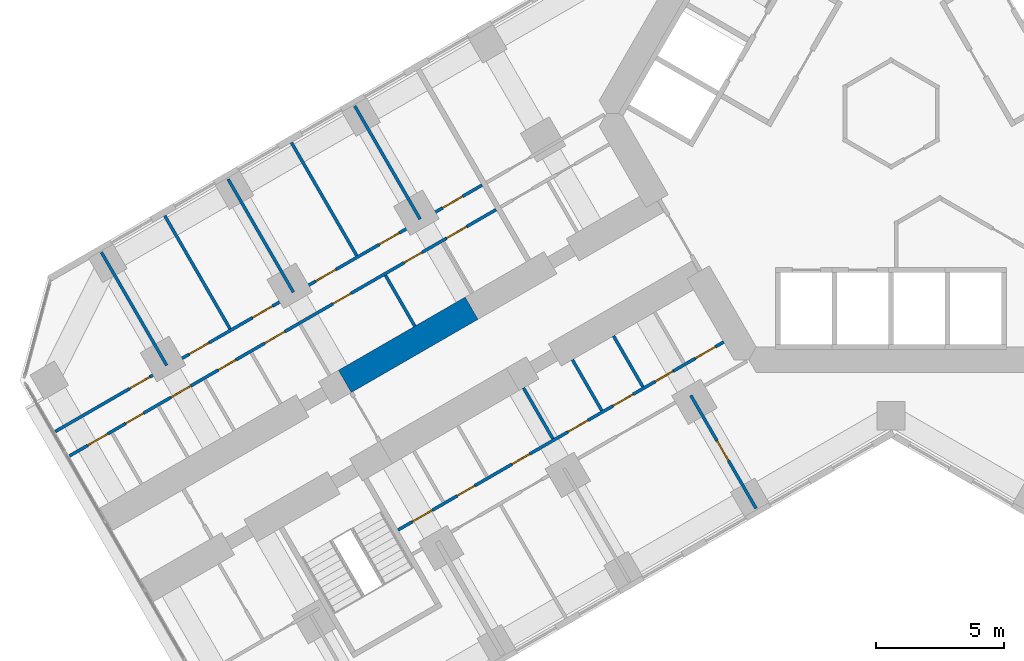
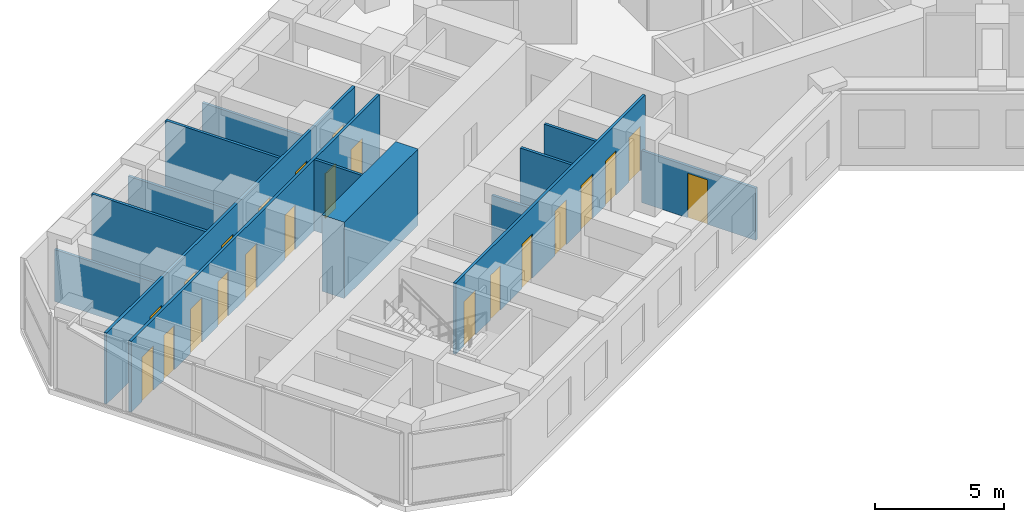
# One storey, part 11 of 21: 22 doors, 14 walls, 22 openings.
"""IFC4 building model written with IfcOpenShell, lengths in metres."""

from ifc_helpers import new_model, si_unit, direction, frame, frame_2d, origin, place, context, subcontext, project, spatial, rectangle, extrude, material, layer, layer_set, type_object, element, fill, save


model = new_model("IFC4")

# Units and contexts
model_context = context("Model", 3, precision=1e-05, world=origin(), true_north=direction((0.0, 1.0)))
body_context = subcontext(model_context, "Body", "Model", "MODEL_VIEW")
ifc_project = project(units=[si_unit("LENGTHUNIT", "METRE"), si_unit("AREAUNIT", "SQUARE_METRE"), si_unit("VOLUMEUNIT", "CUBIC_METRE"), si_unit("PLANEANGLEUNIT", "RADIAN"), si_unit("MASSUNIT", "GRAM", prefix="KILO")], contexts=[model_context])

# Site, building, storey
site_placement = place(None, origin())
site = spatial("IfcSite", under=ifc_project, at=site_placement, CompositionType="ELEMENT")
building_placement = place(site_placement, origin())
building = spatial("IfcBuilding", under=site, at=building_placement, Name="Kosmar Iwan School Tower", CompositionType="ELEMENT")
storey_placement = place(building_placement, frame((0.0, 0.0, 43.0)))
storey = spatial("IfcBuildingStorey", under=building, at=storey_placement, Name="L09", CompositionType="ELEMENT", Elevation=43.0)

# Wall
ifc_material_1 = material(Name="Concrete C50/60", Category="concrete")
ifc_layer_1 = layer(ifc_material_1, 1.0)
ifc_layer_set_1 = layer_set([ifc_layer_1], Name="Corridor buttress wall 1000")
wall_type_1 = type_object("IfcWallType", Name="Corridor buttress wall 1000", PredefinedType="SHEAR", material=ifc_layer_set_1)
wall_1_placement = place(storey_placement, frame((-16.34521484375, -7.58935546875, 0.0), z_axis=(0.0, 0.0, 1.0), x_axis=(-0.866015111908, -0.50001782563, 0.0)))
element("IfcWall", 1, at=wall_1_placement, inside=storey, type_object=wall_type_1, Name="Corridor wall BR bay 2", PredefinedType="SHEAR", context=body_context, shape_type="SweptSolid", body=[
    extrude(rectangle(XDim=5.699951171875, YDim=1.0, at=frame_2d((2.85009765625, 0.0))), origin(), (0.0, 0.0, 1.0), 3.60009765625),
])

# Wall, openings, doors
ifc_material_2 = material(Name="Gypsum board on steel studs", Category="steel")
ifc_layer_2 = layer(ifc_material_2, 0.1201171875)
ifc_layer_set_2 = layer_set([ifc_layer_2], Name="Dwelling partition 120")
wall_type_2 = type_object("IfcWallType", Name="Dwelling partition 120", PredefinedType="PARTITIONING", material=ifc_layer_set_2)
wall_2_placement = place(storey_placement, frame((-6.521728515625, -8.90380859375, 0.0), z_axis=(0.0, 0.0, 1.0), x_axis=(-0.866030734856, -0.4999907662, 0.0)))
wall_2 = element("IfcWall", 2, at=wall_2_placement, inside=storey, type_object=wall_type_2, Name="Partition L09-BL1-W1", PredefinedType="PARTITIONING", context=body_context, shape_type="SweptSolid", body=[
    extrude(rectangle(XDim=14.650146484375, YDim=0.1201171875, at=frame_2d((7.3251953125, 0.0))), origin(), (0.0, 0.0, 1.0), 3.35009765625),
])
opening_1_placement = place(wall_2_placement, frame((0.375, 0.0, 0.0)))
opening_1 = element("IfcOpeningElement", 3, at=opening_1_placement, cuts=wall_2, Name="Opening D2", PredefinedType="OPENING", context=body_context, shape_type="SweptSolid", body=[
    extrude(rectangle(XDim=0.89990234375, YDim=2.10009765625, at=frame_2d((0.449951171875, 1.050048828125))), frame((0.0, 0.072021484375, 0.0), z_axis=(0.0, -1.0, 0.0), x_axis=(1.0, 0.0, 0.0)), (0.0, 0.0, 1.0), 0.14404296875),
])
opening_2_placement = place(wall_2_placement, frame((2.27490234375, 0.0, 0.0)))
opening_2 = element("IfcOpeningElement", 4, at=opening_2_placement, cuts=wall_2, Name="Opening D3", PredefinedType="OPENING", context=body_context, shape_type="SweptSolid", body=[
    extrude(rectangle(XDim=0.800048828125, YDim=2.10009765625, at=frame_2d((0.39990234375, 1.050048828125))), frame((0.0, 0.072021484375, 0.0), z_axis=(0.0, -1.0, 0.0), x_axis=(1.0, 0.0, 0.0)), (0.0, 0.0, 1.0), 0.14404296875),
])
opening_3_placement = place(wall_2_placement, frame((4.074951171875, 0.0, 0.0)))
opening_3 = element("IfcOpeningElement", 5, at=opening_3_placement, cuts=wall_2, Name="Opening D2", PredefinedType="OPENING", context=body_context, shape_type="SweptSolid", body=[
    extrude(rectangle(XDim=0.89990234375, YDim=2.10009765625, at=frame_2d((0.449951171875, 1.050048828125))), frame((0.0, 0.072021484375, 0.0), z_axis=(0.0, -1.0, 0.0), x_axis=(1.0, 0.0, 0.0)), (0.0, 0.0, 1.0), 0.14404296875),
])
opening_4_placement = place(wall_2_placement, frame((6.10009765625, 0.0, 0.0)))
opening_4 = element("IfcOpeningElement", 6, at=opening_4_placement, cuts=wall_2, Name="Opening D2", PredefinedType="OPENING", context=body_context, shape_type="SweptSolid", body=[
    extrude(rectangle(XDim=0.89990234375, YDim=2.10009765625, at=frame_2d((0.449951171875, 1.050048828125))), frame((0.0, 0.072021484375, 0.0), z_axis=(0.0, -1.0, 0.0), x_axis=(1.0, 0.0, 0.0)), (0.0, 0.0, 1.0), 0.14404296875),
])
opening_5_placement = place(wall_2_placement, frame((8.728515625, 0.0, 0.0)))
opening_5 = element("IfcOpeningElement", 7, at=opening_5_placement, cuts=wall_2, Name="Opening D3", PredefinedType="OPENING", context=body_context, shape_type="SweptSolid", body=[
    extrude(rectangle(XDim=0.800048828125, YDim=2.10009765625, at=frame_2d((0.39990234375, 1.050048828125))), frame((0.0, 0.072021484375, 0.0), z_axis=(0.0, -1.0, 0.0), x_axis=(1.0, 0.0, 0.0)), (0.0, 0.0, 1.0), 0.14404296875),
])
opening_6_placement = place(wall_2_placement, frame((11.19287109375, 0.0, 0.0)))
opening_6 = element("IfcOpeningElement", 8, at=opening_6_placement, cuts=wall_2, Name="Opening D3", PredefinedType="OPENING", context=body_context, shape_type="SweptSolid", body=[
    extrude(rectangle(XDim=0.800048828125, YDim=2.10009765625, at=frame_2d((0.39990234375, 1.050048828125))), frame((0.0, 0.072021484375, 0.0), z_axis=(0.0, -1.0, 0.0), x_axis=(1.0, 0.0, 0.0)), (0.0, 0.0, 1.0), 0.14404296875),
])
opening_7_placement = place(wall_2_placement, frame((13.1142578125, 0.0, 0.0)))
opening_7 = element("IfcOpeningElement", 9, at=opening_7_placement, cuts=wall_2, Name="Opening D2", PredefinedType="OPENING", context=body_context, shape_type="SweptSolid", body=[
    extrude(rectangle(XDim=0.89990234375, YDim=2.10009765625, at=frame_2d((0.449951171875, 1.050048828125))), frame((0.0, 0.072021484375, 0.0), z_axis=(0.0, -1.0, 0.0), x_axis=(1.0, 0.0, 0.0)), (0.0, 0.0, 1.0), 0.14404296875),
])
ifc_material_3 = material(Name="Timber door in timber frame", Category="wood")
door_type_1 = type_object("IfcDoorType", Name="Internal door 900x2100", OperationType="SINGLE_SWING_LEFT", PredefinedType="DOOR", material=ifc_material_3)
door_1_placement = place(opening_1_placement, origin())
door_1 = element("IfcDoor", 10, at=door_1_placement, inside=storey, type_object=door_type_1, Name="Dressing room door L09-BL1-S1", OperationType="SINGLE_SWING_LEFT", OverallHeight=2.10009765625, OverallWidth=0.89990234375, PredefinedType="DOOR", context=body_context, shape_type="SweptSolid", body=[
    extrude(rectangle(XDim=0.89990234375, YDim=2.10009765625, at=frame_2d((0.449951171875, 1.050048828125))), frame((0.0, 0.02490234375, 0.0), z_axis=(0.0, -1.0, 0.0), x_axis=(1.0, 0.0, 0.0)), (0.0, 0.0, 1.0), 0.050048828125),
])
fill(opening_1, door_1)
door_2_placement = place(opening_3_placement, origin())
door_2 = element("IfcDoor", 11, at=door_2_placement, inside=storey, type_object=door_type_1, Name="Pantry door L09-BL1-S3", OperationType="SINGLE_SWING_LEFT", OverallHeight=2.10009765625, OverallWidth=0.89990234375, PredefinedType="DOOR", context=body_context, shape_type="SweptSolid", body=[
    extrude(rectangle(XDim=0.89990234375, YDim=2.10009765625, at=frame_2d((0.449951171875, 1.050048828125))), frame((0.0, 0.02490234375, 0.0), z_axis=(0.0, -1.0, 0.0), x_axis=(1.0, 0.0, 0.0)), (0.0, 0.0, 1.0), 0.050048828125),
])
fill(opening_3, door_2)
door_3_placement = place(opening_4_placement, origin())
door_3 = element("IfcDoor", 12, at=door_3_placement, inside=storey, type_object=door_type_1, Name="Entrance hall door L09-BL1-S4", OperationType="SINGLE_SWING_LEFT", OverallHeight=2.10009765625, OverallWidth=0.89990234375, PredefinedType="DOOR", context=body_context, shape_type="SweptSolid", body=[
    extrude(rectangle(XDim=0.89990234375, YDim=2.10009765625, at=frame_2d((0.449951171875, 1.050048828125))), frame((0.0, 0.02490234375, 0.0), z_axis=(0.0, -1.0, 0.0), x_axis=(1.0, 0.0, 0.0)), (0.0, 0.0, 1.0), 0.050048828125),
])
fill(opening_4, door_3)
door_4_placement = place(opening_7_placement, frame((0.89990234375, 0.0, 0.0), z_axis=(0.0, 0.0, 1.0), x_axis=(-1.0, 0.0, 0.0)))
door_4 = element("IfcDoor", 13, at=door_4_placement, inside=storey, type_object=door_type_1, Name="Utility room door L09-BL1-S7", OperationType="SINGLE_SWING_LEFT", OverallHeight=2.10009765625, OverallWidth=0.89990234375, PredefinedType="DOOR", context=body_context, shape_type="SweptSolid", body=[
    extrude(rectangle(XDim=0.89990234375, YDim=2.10009765625, at=frame_2d((0.449951171875, 1.050048828125))), frame((0.0, 0.02490234375, 0.0), z_axis=(0.0, -1.0, 0.0), x_axis=(1.0, 0.0, 0.0)), (0.0, 0.0, 1.0), 0.050048828125),
])
fill(opening_7, door_4)
ifc_material_4 = material(Name="Timber door in timber frame", Category="wood")
door_type_2 = type_object("IfcDoorType", Name="Sanitary room door 800x2100", OperationType="SINGLE_SWING_LEFT", PredefinedType="DOOR", material=ifc_material_4)
door_5_placement = place(opening_2_placement, origin())
door_5 = element("IfcDoor", 14, at=door_5_placement, inside=storey, type_object=door_type_2, Name="Store door L09-BL1-S2", OperationType="SINGLE_SWING_RIGHT", OverallHeight=2.10009765625, OverallWidth=0.800048828125, PredefinedType="DOOR", context=body_context, shape_type="SweptSolid", body=[
    extrude(rectangle(XDim=0.800048828125, YDim=2.10009765625, at=frame_2d((0.39990234375, 1.050048828125))), frame((0.0, 0.02490234375, 0.0), z_axis=(0.0, -1.0, 0.0), x_axis=(1.0, 0.0, 0.0)), (0.0, 0.0, 1.0), 0.050048828125),
])
fill(opening_2, door_5)
door_6_placement = place(opening_5_placement, origin())
door_6 = element("IfcDoor", 15, at=door_6_placement, inside=storey, type_object=door_type_2, Name="Bathroom door L09-BL1-S5", OperationType="SINGLE_SWING_RIGHT", OverallHeight=2.10009765625, OverallWidth=0.800048828125, PredefinedType="DOOR", context=body_context, shape_type="SweptSolid", body=[
    extrude(rectangle(XDim=0.800048828125, YDim=2.10009765625, at=frame_2d((0.39990234375, 1.050048828125))), frame((0.0, 0.02490234375, 0.0), z_axis=(0.0, -1.0, 0.0), x_axis=(1.0, 0.0, 0.0)), (0.0, 0.0, 1.0), 0.050048828125),
])
fill(opening_5, door_6)
door_7_placement = place(opening_6_placement, origin())
door_7 = element("IfcDoor", 16, at=door_7_placement, inside=storey, type_object=door_type_2, Name="WC door L09-BL1-S6", OperationType="SINGLE_SWING_RIGHT", OverallHeight=2.10009765625, OverallWidth=0.800048828125, PredefinedType="DOOR", context=body_context, shape_type="SweptSolid", body=[
    extrude(rectangle(XDim=0.800048828125, YDim=2.10009765625, at=frame_2d((0.39990234375, 1.050048828125))), frame((0.0, 0.02490234375, 0.0), z_axis=(0.0, -1.0, 0.0), x_axis=(1.0, 0.0, 0.0)), (0.0, 0.0, 1.0), 0.050048828125),
])
fill(opening_6, door_7)

# Wall, opening, door
wall_3_placement = place(storey_placement, frame((-7.8037109375, -10.9833984375, 0.0), z_axis=(0.0, 0.0, 1.0), x_axis=(0.499997873537, -0.866026631495, 0.0)))
wall_3 = element("IfcWall", 17, at=wall_3_placement, inside=storey, type_object=wall_type_2, Name="Partition L09-BL1-X1", PredefinedType="PARTITIONING", context=body_context, shape_type="SweptSolid", body=[
    extrude(rectangle(XDim=5.08984375, YDim=0.1201171875, at=frame_2d((2.544921875, 0.0))), origin(), (0.0, 0.0, 1.0), 2.449951171875),
])
opening_8_placement = place(wall_3_placement, frame((2.0400390625, 0.0, 0.0)))
opening_8 = element("IfcOpeningElement", 18, at=opening_8_placement, cuts=wall_3, Name="Opening D2", PredefinedType="OPENING", context=body_context, shape_type="SweptSolid", body=[
    extrude(rectangle(XDim=0.89990234375, YDim=2.10009765625, at=frame_2d((0.449951171875, 1.050048828125))), frame((0.0, 0.072021484375, 0.0), z_axis=(0.0, -1.0, 0.0), x_axis=(1.0, 0.0, 0.0)), (0.0, 0.0, 1.0), 0.14404296875),
])
door_8_placement = place(opening_8_placement, origin())
door_8 = element("IfcDoor", 19, at=door_8_placement, inside=storey, type_object=door_type_1, Name="Kitchen and dining room door L09-BL1-F1", OperationType="SINGLE_SWING_LEFT", OverallHeight=2.10009765625, OverallWidth=0.89990234375, PredefinedType="DOOR", context=body_context, shape_type="SweptSolid", body=[
    extrude(rectangle(XDim=0.89990234375, YDim=2.10009765625, at=frame_2d((0.449951171875, 1.050048828125))), frame((0.0, 0.02490234375, 0.0), z_axis=(0.0, -1.0, 0.0), x_axis=(1.0, 0.0, 0.0)), (0.0, 0.0, 1.0), 0.050048828125),
])
fill(opening_8, door_8)

# Walls
for number, where, z_axis, x_axis, name in (
    (20, (-10.814453125, -8.668701171875, 0.0), (0.0, 0.0, 1.0), (0.500014693593, -0.866016920268, 0.0), "Partition L09-BL1-Y2"),
    (21, (-12.416748046875, -9.59375, 0.0), (0.0, 0.0, 1.0), (0.500014693593, -0.866016920268, 0.0), "Partition L09-BL1-Y3"),
):
    element("IfcWall", number, at=place(storey_placement, frame(where, z_axis=z_axis, x_axis=x_axis)), inside=storey, type_object=wall_type_2, Name=name, PredefinedType="PARTITIONING", context=body_context, shape_type="SweptSolid", body=[
        extrude(rectangle(XDim=2.2900390625, YDim=0.1201171875, at=frame_2d((1.14501953125, 0.0))), origin(), (0.0, 0.0, 1.0), 3.35009765625),
    ])
wall_4_placement = place(storey_placement, frame((-14.322021484375, -10.693603515625, 0.0), z_axis=(0.0, 0.0, 1.0), x_axis=(0.500014693593, -0.866016920268, 0.0)))
element("IfcWall", 22, at=wall_4_placement, inside=storey, type_object=wall_type_2, Name="Partition L09-BL1-Y4", PredefinedType="PARTITIONING", context=body_context, shape_type="SweptSolid", body=[
    extrude(rectangle(XDim=2.2900390625, YDim=0.1201171875, at=frame_2d((1.14501953125, 0.0))), origin(), (0.0, 0.0, 1.0), 2.449951171875),
])

# Wall, openings, doors
wall_5_placement = place(storey_placement, frame((-15.388671875, -3.74609375, 0.0), z_axis=(0.0, 0.0, 1.0), x_axis=(-0.866021011428, -0.500007607708, 0.0)))
wall_5 = element("IfcWall", 23, at=wall_5_placement, inside=storey, type_object=wall_type_2, Name="Partition L09-BR2-W1", PredefinedType="PARTITIONING", context=body_context, shape_type="SweptSolid", body=[
    extrude(rectangle(XDim=19.195068359375, YDim=0.1201171875, at=frame_2d((9.59765625, 0.0))), origin(), (0.0, 0.0, 1.0), 3.35009765625),
])
opening_9_placement = place(wall_5_placement, frame((1.32861328125, 0.0, 0.0)))
opening_9 = element("IfcOpeningElement", 24, at=opening_9_placement, cuts=wall_5, Name="Opening D2", PredefinedType="OPENING", context=body_context, shape_type="SweptSolid", body=[
    extrude(rectangle(XDim=0.89990234375, YDim=2.10009765625, at=frame_2d((0.449951171875, 1.050048828125))), frame((0.0, 0.072021484375, 0.0), z_axis=(0.0, -1.0, 0.0), x_axis=(1.0, 0.0, 0.0)), (0.0, 0.0, 1.0), 0.14404296875),
])
opening_10_placement = place(wall_5_placement, frame((3.335693359375, 0.0, 0.0)))
opening_10 = element("IfcOpeningElement", 25, at=opening_10_placement, cuts=wall_5, Name="Opening D3", PredefinedType="OPENING", context=body_context, shape_type="SweptSolid", body=[
    extrude(rectangle(XDim=0.800048828125, YDim=2.10009765625, at=frame_2d((0.39990234375, 1.050048828125))), frame((0.0, 0.072021484375, 0.0), z_axis=(0.0, -1.0, 0.0), x_axis=(1.0, 0.0, 0.0)), (0.0, 0.0, 1.0), 0.14404296875),
])
opening_11_placement = place(wall_5_placement, frame((6.5322265625, 0.0, 0.0)))
opening_11 = element("IfcOpeningElement", 26, at=opening_11_placement, cuts=wall_5, Name="Opening D3", PredefinedType="OPENING", context=body_context, shape_type="SweptSolid", body=[
    extrude(rectangle(XDim=0.800048828125, YDim=2.10009765625, at=frame_2d((0.39990234375, 1.050048828125))), frame((0.0, 0.072021484375, 0.0), z_axis=(0.0, -1.0, 0.0), x_axis=(1.0, 0.0, 0.0)), (0.0, 0.0, 1.0), 0.14404296875),
])
opening_12_placement = place(wall_5_placement, frame((9.5, 0.0, 0.0)))
opening_12 = element("IfcOpeningElement", 27, at=opening_12_placement, cuts=wall_5, Name="Opening D2", PredefinedType="OPENING", context=body_context, shape_type="SweptSolid", body=[
    extrude(rectangle(XDim=0.89990234375, YDim=2.10009765625, at=frame_2d((0.449951171875, 1.050048828125))), frame((0.0, 0.072021484375, 0.0), z_axis=(0.0, -1.0, 0.0), x_axis=(1.0, 0.0, 0.0)), (0.0, 0.0, 1.0), 0.14404296875),
])
opening_13_placement = place(wall_5_placement, frame((11.69384765625, 0.0, 0.0)))
opening_13 = element("IfcOpeningElement", 28, at=opening_13_placement, cuts=wall_5, Name="Opening D3", PredefinedType="OPENING", context=body_context, shape_type="SweptSolid", body=[
    extrude(rectangle(XDim=0.800048828125, YDim=2.10009765625, at=frame_2d((0.39990234375, 1.050048828125))), frame((0.0, 0.072021484375, 0.0), z_axis=(0.0, -1.0, 0.0), x_axis=(1.0, 0.0, 0.0)), (0.0, 0.0, 1.0), 0.14404296875),
])
opening_14_placement = place(wall_5_placement, frame((13.731201171875, 0.0, 0.0)))
opening_14 = element("IfcOpeningElement", 29, at=opening_14_placement, cuts=wall_5, Name="Opening D2", PredefinedType="OPENING", context=body_context, shape_type="SweptSolid", body=[
    extrude(rectangle(XDim=0.89990234375, YDim=2.10009765625, at=frame_2d((0.449951171875, 1.050048828125))), frame((0.0, 0.072021484375, 0.0), z_axis=(0.0, -1.0, 0.0), x_axis=(1.0, 0.0, 0.0)), (0.0, 0.0, 1.0), 0.14404296875),
])
opening_15_placement = place(wall_5_placement, frame((15.86865234375, 0.0, 0.0)))
opening_15 = element("IfcOpeningElement", 30, at=opening_15_placement, cuts=wall_5, Name="Opening D3", PredefinedType="OPENING", context=body_context, shape_type="SweptSolid", body=[
    extrude(rectangle(XDim=0.800048828125, YDim=2.10009765625, at=frame_2d((0.39990234375, 1.050048828125))), frame((0.0, 0.072021484375, 0.0), z_axis=(0.0, -1.0, 0.0), x_axis=(1.0, 0.0, 0.0)), (0.0, 0.0, 1.0), 0.14404296875),
])
opening_16_placement = place(wall_5_placement, frame((17.472412109375, 0.0, 0.0)))
opening_16 = element("IfcOpeningElement", 31, at=opening_16_placement, cuts=wall_5, Name="Opening D2", PredefinedType="OPENING", context=body_context, shape_type="SweptSolid", body=[
    extrude(rectangle(XDim=0.89990234375, YDim=2.10009765625, at=frame_2d((0.449951171875, 1.050048828125))), frame((0.0, 0.072021484375, 0.0), z_axis=(0.0, -1.0, 0.0), x_axis=(1.0, 0.0, 0.0)), (0.0, 0.0, 1.0), 0.14404296875),
])
door_9_placement = place(opening_9_placement, origin())
door_9 = element("IfcDoor", 32, at=door_9_placement, inside=storey, type_object=door_type_1, Name="Utility room door L09-BR2-S1", OperationType="SINGLE_SWING_RIGHT", OverallHeight=2.10009765625, OverallWidth=0.89990234375, PredefinedType="DOOR", context=body_context, shape_type="SweptSolid", body=[
    extrude(rectangle(XDim=0.89990234375, YDim=2.10009765625, at=frame_2d((0.449951171875, 1.050048828125))), frame((0.0, 0.02490234375, 0.0), z_axis=(0.0, -1.0, 0.0), x_axis=(1.0, 0.0, 0.0)), (0.0, 0.0, 1.0), 0.050048828125),
])
fill(opening_9, door_9)
door_10_placement = place(opening_12_placement, origin())
door_10 = element("IfcDoor", 33, at=door_10_placement, inside=storey, type_object=door_type_1, Name="Entrance hall door L09-BR2-S4", OperationType="SINGLE_SWING_LEFT", OverallHeight=2.10009765625, OverallWidth=0.89990234375, PredefinedType="DOOR", context=body_context, shape_type="SweptSolid", body=[
    extrude(rectangle(XDim=0.89990234375, YDim=2.10009765625, at=frame_2d((0.449951171875, 1.050048828125))), frame((0.0, 0.02490234375, 0.0), z_axis=(0.0, -1.0, 0.0), x_axis=(1.0, 0.0, 0.0)), (0.0, 0.0, 1.0), 0.050048828125),
])
fill(opening_12, door_10)
door_11_placement = place(opening_14_placement, origin())
door_11 = element("IfcDoor", 34, at=door_11_placement, inside=storey, type_object=door_type_1, Name="Pantry door L09-BR2-S6", OperationType="SINGLE_SWING_LEFT", OverallHeight=2.10009765625, OverallWidth=0.89990234375, PredefinedType="DOOR", context=body_context, shape_type="SweptSolid", body=[
    extrude(rectangle(XDim=0.89990234375, YDim=2.10009765625, at=frame_2d((0.449951171875, 1.050048828125))), frame((0.0, 0.02490234375, 0.0), z_axis=(0.0, -1.0, 0.0), x_axis=(1.0, 0.0, 0.0)), (0.0, 0.0, 1.0), 0.050048828125),
])
fill(opening_14, door_11)
door_12_placement = place(opening_16_placement, origin())
door_12 = element("IfcDoor", 35, at=door_12_placement, inside=storey, type_object=door_type_1, Name="Dressing room door L09-BR2-S8", OperationType="SINGLE_SWING_LEFT", OverallHeight=2.10009765625, OverallWidth=0.89990234375, PredefinedType="DOOR", context=body_context, shape_type="SweptSolid", body=[
    extrude(rectangle(XDim=0.89990234375, YDim=2.10009765625, at=frame_2d((0.449951171875, 1.050048828125))), frame((0.0, 0.02490234375, 0.0), z_axis=(0.0, -1.0, 0.0), x_axis=(1.0, 0.0, 0.0)), (0.0, 0.0, 1.0), 0.050048828125),
])
fill(opening_16, door_12)
door_13_placement = place(opening_10_placement, origin())
door_13 = element("IfcDoor", 36, at=door_13_placement, inside=storey, type_object=door_type_2, Name="WC door L09-BR2-S2", OperationType="SINGLE_SWING_LEFT", OverallHeight=2.10009765625, OverallWidth=0.800048828125, PredefinedType="DOOR", context=body_context, shape_type="SweptSolid", body=[
    extrude(rectangle(XDim=0.800048828125, YDim=2.10009765625, at=frame_2d((0.39990234375, 1.050048828125))), frame((0.0, 0.02490234375, 0.0), z_axis=(0.0, -1.0, 0.0), x_axis=(1.0, 0.0, 0.0)), (0.0, 0.0, 1.0), 0.050048828125),
])
fill(opening_10, door_13)
door_14_placement = place(opening_11_placement, origin())
door_14 = element("IfcDoor", 37, at=door_14_placement, inside=storey, type_object=door_type_2, Name="Bathroom door L09-BR2-S3", OperationType="SINGLE_SWING_RIGHT", OverallHeight=2.10009765625, OverallWidth=0.800048828125, PredefinedType="DOOR", context=body_context, shape_type="SweptSolid", body=[
    extrude(rectangle(XDim=0.800048828125, YDim=2.10009765625, at=frame_2d((0.39990234375, 1.050048828125))), frame((0.0, 0.02490234375, 0.0), z_axis=(0.0, -1.0, 0.0), x_axis=(1.0, 0.0, 0.0)), (0.0, 0.0, 1.0), 0.050048828125),
])
fill(opening_11, door_14)
door_15_placement = place(opening_13_placement, origin())
door_15 = element("IfcDoor", 38, at=door_15_placement, inside=storey, type_object=door_type_2, Name="Shower room door L09-BR2-S5", OperationType="SINGLE_SWING_RIGHT", OverallHeight=2.10009765625, OverallWidth=0.800048828125, PredefinedType="DOOR", context=body_context, shape_type="SweptSolid", body=[
    extrude(rectangle(XDim=0.800048828125, YDim=2.10009765625, at=frame_2d((0.39990234375, 1.050048828125))), frame((0.0, 0.02490234375, 0.0), z_axis=(0.0, -1.0, 0.0), x_axis=(1.0, 0.0, 0.0)), (0.0, 0.0, 1.0), 0.050048828125),
])
fill(opening_13, door_15)
door_16_placement = place(opening_15_placement, origin())
door_16 = element("IfcDoor", 39, at=door_16_placement, inside=storey, type_object=door_type_2, Name="Store door L09-BR2-S7", OperationType="SINGLE_SWING_RIGHT", OverallHeight=2.10009765625, OverallWidth=0.800048828125, PredefinedType="DOOR", context=body_context, shape_type="SweptSolid", body=[
    extrude(rectangle(XDim=0.800048828125, YDim=2.10009765625, at=frame_2d((0.39990234375, 1.050048828125))), frame((0.0, 0.02490234375, 0.0), z_axis=(0.0, -1.0, 0.0), x_axis=(1.0, 0.0, 0.0)), (0.0, 0.0, 1.0), 0.050048828125),
])
fill(opening_15, door_16)

wall_6_placement = place(storey_placement, frame((-15.9384765625, -2.79345703125, 0.0), z_axis=(0.0, 0.0, 1.0), x_axis=(-0.866024191211, -0.500002100233, 0.0)))
wall_6 = element("IfcWall", 40, at=wall_6_placement, inside=storey, type_object=wall_type_2, Name="Partition L09-BR2-W2", PredefinedType="PARTITIONING", context=body_context, shape_type="SweptSolid", body=[
    extrude(rectangle(XDim=19.1953125, YDim=0.1201171875, at=frame_2d((9.59765625, 0.0))), origin(), (0.0, 0.0, 1.0), 3.35009765625),
])
opening_17_placement = place(wall_6_placement, frame((0.875, 0.0, 0.0)))
opening_17 = element("IfcOpeningElement", 41, at=opening_17_placement, cuts=wall_6, Name="Opening D2", PredefinedType="OPENING", context=body_context, shape_type="SweptSolid", body=[
    extrude(rectangle(XDim=0.89990234375, YDim=2.10009765625, at=frame_2d((0.449951171875, 1.050048828125))), frame((0.0, 0.072021484375, 0.0), z_axis=(0.0, -1.0, 0.0), x_axis=(1.0, 0.0, 0.0)), (0.0, 0.0, 1.0), 0.14404296875),
])
opening_18_placement = place(wall_6_placement, frame((3.72509765625, 0.0, 0.0)))
opening_18 = element("IfcOpeningElement", 42, at=opening_18_placement, cuts=wall_6, Name="Opening D2", PredefinedType="OPENING", context=body_context, shape_type="SweptSolid", body=[
    extrude(rectangle(XDim=0.89990234375, YDim=2.10009765625, at=frame_2d((0.449951171875, 1.050048828125))), frame((0.0, 0.072021484375, 0.0), z_axis=(0.0, -1.0, 0.0), x_axis=(1.0, 0.0, 0.0)), (0.0, 0.0, 1.0), 0.14404296875),
])
opening_19_placement = place(wall_6_placement, frame((6.574951171875, 0.0, 0.0)))
opening_19 = element("IfcOpeningElement", 43, at=opening_19_placement, cuts=wall_6, Name="Opening D2", PredefinedType="OPENING", context=body_context, shape_type="SweptSolid", body=[
    extrude(rectangle(XDim=0.89990234375, YDim=2.10009765625, at=frame_2d((0.449951171875, 1.050048828125))), frame((0.0, 0.072021484375, 0.0), z_axis=(0.0, -1.0, 0.0), x_axis=(1.0, 0.0, 0.0)), (0.0, 0.0, 1.0), 0.14404296875),
])
opening_20_placement = place(wall_6_placement, frame((9.425048828125, 0.0, 0.0)))
opening_20 = element("IfcOpeningElement", 44, at=opening_20_placement, cuts=wall_6, Name="Opening D2", PredefinedType="OPENING", context=body_context, shape_type="SweptSolid", body=[
    extrude(rectangle(XDim=0.89990234375, YDim=2.10009765625, at=frame_2d((0.449951171875, 1.050048828125))), frame((0.0, 0.072021484375, 0.0), z_axis=(0.0, -1.0, 0.0), x_axis=(1.0, 0.0, 0.0)), (0.0, 0.0, 1.0), 0.14404296875),
])
opening_21_placement = place(wall_6_placement, frame((12.27490234375, 0.0, 0.0)))
opening_21 = element("IfcOpeningElement", 45, at=opening_21_placement, cuts=wall_6, Name="Opening D2", PredefinedType="OPENING", context=body_context, shape_type="SweptSolid", body=[
    extrude(rectangle(XDim=0.89990234375, YDim=2.10009765625, at=frame_2d((0.449951171875, 1.050048828125))), frame((0.0, 0.072021484375, 0.0), z_axis=(0.0, -1.0, 0.0), x_axis=(1.0, 0.0, 0.0)), (0.0, 0.0, 1.0), 0.14404296875),
])
opening_22_placement = place(wall_6_placement, frame((14.949951171875, 0.0, 0.0)))
opening_22 = element("IfcOpeningElement", 46, at=opening_22_placement, cuts=wall_6, Name="Opening D2", PredefinedType="OPENING", context=body_context, shape_type="SweptSolid", body=[
    extrude(rectangle(XDim=0.89990234375, YDim=2.10009765625, at=frame_2d((0.449951171875, 1.050048828125))), frame((0.0, 0.072021484375, 0.0), z_axis=(0.0, -1.0, 0.0), x_axis=(1.0, 0.0, 0.0)), (0.0, 0.0, 1.0), 0.14404296875),
])
door_17_placement = place(opening_17_placement, origin())
door_17 = element("IfcDoor", 47, at=door_17_placement, inside=storey, type_object=door_type_1, Name="Bedroom 1 door L09-BR2-F1", OperationType="SINGLE_SWING_LEFT", OverallHeight=2.10009765625, OverallWidth=0.89990234375, PredefinedType="DOOR", context=body_context, shape_type="SweptSolid", body=[
    extrude(rectangle(XDim=0.89990234375, YDim=2.10009765625, at=frame_2d((0.449951171875, 1.050048828125))), frame((0.0, 0.02490234375, 0.0), z_axis=(0.0, -1.0, 0.0), x_axis=(1.0, 0.0, 0.0)), (0.0, 0.0, 1.0), 0.050048828125),
])
fill(opening_17, door_17)
door_18_placement = place(opening_18_placement, origin())
door_18 = element("IfcDoor", 48, at=door_18_placement, inside=storey, type_object=door_type_1, Name="Bedroom 2 door L09-BR2-F2", OperationType="SINGLE_SWING_LEFT", OverallHeight=2.10009765625, OverallWidth=0.89990234375, PredefinedType="DOOR", context=body_context, shape_type="SweptSolid", body=[
    extrude(rectangle(XDim=0.89990234375, YDim=2.10009765625, at=frame_2d((0.449951171875, 1.050048828125))), frame((0.0, 0.02490234375, 0.0), z_axis=(0.0, -1.0, 0.0), x_axis=(1.0, 0.0, 0.0)), (0.0, 0.0, 1.0), 0.050048828125),
])
fill(opening_18, door_18)
door_19_placement = place(opening_19_placement, origin())
door_19 = element("IfcDoor", 49, at=door_19_placement, inside=storey, type_object=door_type_1, Name="Study door L09-BR2-F3", OperationType="SINGLE_SWING_LEFT", OverallHeight=2.10009765625, OverallWidth=0.89990234375, PredefinedType="DOOR", context=body_context, shape_type="SweptSolid", body=[
    extrude(rectangle(XDim=0.89990234375, YDim=2.10009765625, at=frame_2d((0.449951171875, 1.050048828125))), frame((0.0, 0.02490234375, 0.0), z_axis=(0.0, -1.0, 0.0), x_axis=(1.0, 0.0, 0.0)), (0.0, 0.0, 1.0), 0.050048828125),
])
fill(opening_19, door_19)
door_20_placement = place(opening_20_placement, origin())
door_20 = element("IfcDoor", 50, at=door_20_placement, inside=storey, type_object=door_type_1, Name="Bedroom 3 door L09-BR2-F4", OperationType="SINGLE_SWING_RIGHT", OverallHeight=2.10009765625, OverallWidth=0.89990234375, PredefinedType="DOOR", context=body_context, shape_type="SweptSolid", body=[
    extrude(rectangle(XDim=0.89990234375, YDim=2.10009765625, at=frame_2d((0.449951171875, 1.050048828125))), frame((0.0, 0.02490234375, 0.0), z_axis=(0.0, -1.0, 0.0), x_axis=(1.0, 0.0, 0.0)), (0.0, 0.0, 1.0), 0.050048828125),
])
fill(opening_20, door_20)
door_21_placement = place(opening_21_placement, origin())
door_21 = element("IfcDoor", 51, at=door_21_placement, inside=storey, type_object=door_type_1, Name="Bedroom 4 door L09-BR2-F5", OperationType="SINGLE_SWING_RIGHT", OverallHeight=2.10009765625, OverallWidth=0.89990234375, PredefinedType="DOOR", context=body_context, shape_type="SweptSolid", body=[
    extrude(rectangle(XDim=0.89990234375, YDim=2.10009765625, at=frame_2d((0.449951171875, 1.050048828125))), frame((0.0, 0.02490234375, 0.0), z_axis=(0.0, -1.0, 0.0), x_axis=(1.0, 0.0, 0.0)), (0.0, 0.0, 1.0), 0.050048828125),
])
fill(opening_21, door_21)
door_22_placement = place(opening_22_placement, origin())
door_22 = element("IfcDoor", 52, at=door_22_placement, inside=storey, type_object=door_type_1, Name="Living room and kitchen door L09-BR2-F6", OperationType="SINGLE_SWING_RIGHT", OverallHeight=2.10009765625, OverallWidth=0.89990234375, PredefinedType="DOOR", context=body_context, shape_type="SweptSolid", body=[
    extrude(rectangle(XDim=0.89990234375, YDim=2.10009765625, at=frame_2d((0.449951171875, 1.050048828125))), frame((0.0, 0.02490234375, 0.0), z_axis=(0.0, -1.0, 0.0), x_axis=(1.0, 0.0, 0.0)), (0.0, 0.0, 1.0), 0.050048828125),
])
fill(opening_22, door_22)

# Walls
wall_7_placement = place(storey_placement, frame((-18.35009765625, -4.11669921875, 0.0), z_axis=(0.0, 0.0, 1.0), x_axis=(-0.500013077246, 0.866017853501, 0.0)))
element("IfcWall", 53, at=wall_7_placement, inside=storey, type_object=wall_type_2, Name="Partition L09-BR2-X1", PredefinedType="PARTITIONING", context=body_context, shape_type="SweptSolid", body=[
    extrude(rectangle(XDim=5.090087890625, YDim=0.1201171875, at=frame_2d((2.544921875, 0.0))), origin(), (0.0, 0.0, 1.0), 2.449951171875),
])
wall_8_placement = place(storey_placement, frame((-20.818359375, -5.54150390625, 0.0), z_axis=(0.0, 0.0, 1.0), x_axis=(-0.499997873537, 0.866026631495, 0.0)))
element("IfcWall", 54, at=wall_8_placement, inside=storey, type_object=wall_type_2, Name="Partition L09-BR2-X2", PredefinedType="PARTITIONING", context=body_context, shape_type="SweptSolid", body=[
    extrude(rectangle(XDim=5.08984375, YDim=0.1201171875, at=frame_2d((2.544921875, 0.0))), origin(), (0.0, 0.0, 1.0), 3.35009765625),
])
wall_9_placement = place(storey_placement, frame((-23.28662109375, -6.966552734375, 0.0), z_axis=(0.0, 0.0, 1.0), x_axis=(-0.499997873537, 0.866026631495, 0.0)))
element("IfcWall", 55, at=wall_9_placement, inside=storey, type_object=wall_type_2, Name="Partition L09-BR2-X3", PredefinedType="PARTITIONING", context=body_context, shape_type="SweptSolid", body=[
    extrude(rectangle(XDim=5.08984375, YDim=0.1201171875, at=frame_2d((2.544921875, 0.0))), origin(), (0.0, 0.0, 1.0), 2.449951171875),
])
wall_10_placement = place(storey_placement, frame((-25.754638671875, -8.3916015625, 0.0), z_axis=(0.0, 0.0, 1.0), x_axis=(-0.499977104415, 0.866038622153, 0.0)))
element("IfcWall", 56, at=wall_10_placement, inside=storey, type_object=wall_type_2, Name="Partition L09-BR2-X4", PredefinedType="PARTITIONING", context=body_context, shape_type="SweptSolid", body=[
    extrude(rectangle(XDim=5.090087890625, YDim=0.1201171875, at=frame_2d((2.544921875, 0.0))), origin(), (0.0, 0.0, 1.0), 3.35009765625),
])
wall_11_placement = place(storey_placement, frame((-28.222900390625, -9.816650390625, 0.0), z_axis=(0.0, 0.0, 1.0), x_axis=(-0.499977104415, 0.866038622153, 0.0)))
element("IfcWall", 57, at=wall_11_placement, inside=storey, type_object=wall_type_2, Name="Partition L09-BR2-X5", PredefinedType="PARTITIONING", context=body_context, shape_type="SweptSolid", body=[
    extrude(rectangle(XDim=5.090087890625, YDim=0.1201171875, at=frame_2d((2.544921875, 0.0))), origin(), (0.0, 0.0, 1.0), 2.449951171875),
])
wall_12_placement = place(storey_placement, frame((-18.55615234375, -8.28857421875, 0.0), z_axis=(0.0, 0.0, 1.0), x_axis=(-0.499968531483, 0.866043571379, 0.0)))
element("IfcWall", 58, at=wall_12_placement, inside=storey, type_object=wall_type_2, Name="Partition L09-BR2-Y2", PredefinedType="PARTITIONING", context=body_context, shape_type="SweptSolid", body=[
    extrude(rectangle(XDim=2.290283203125, YDim=0.1201171875, at=frame_2d((1.14501953125, 0.0))), origin(), (0.0, 0.0, 1.0), 3.35009765625),
])

save(model, "model.ifc")
